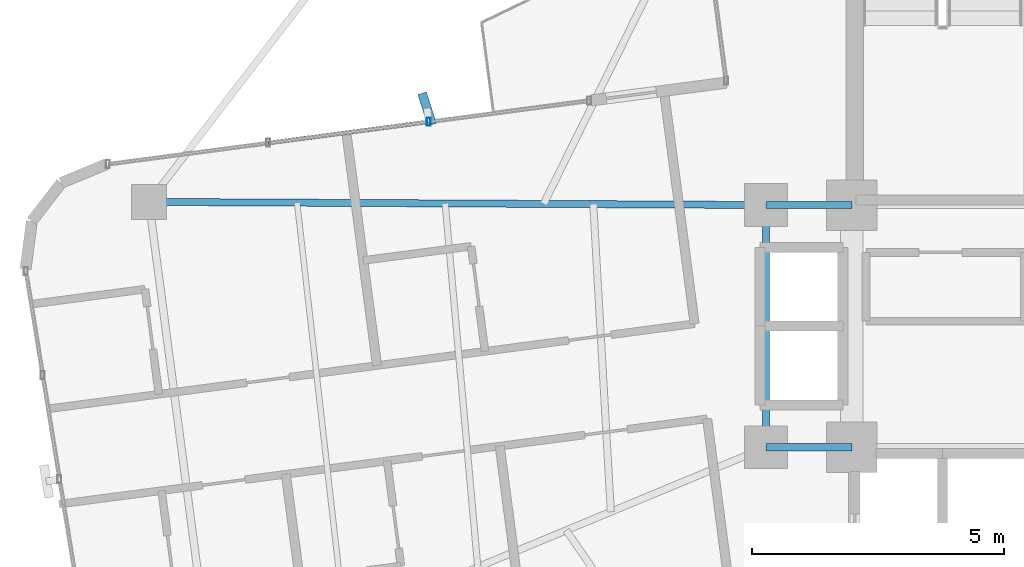
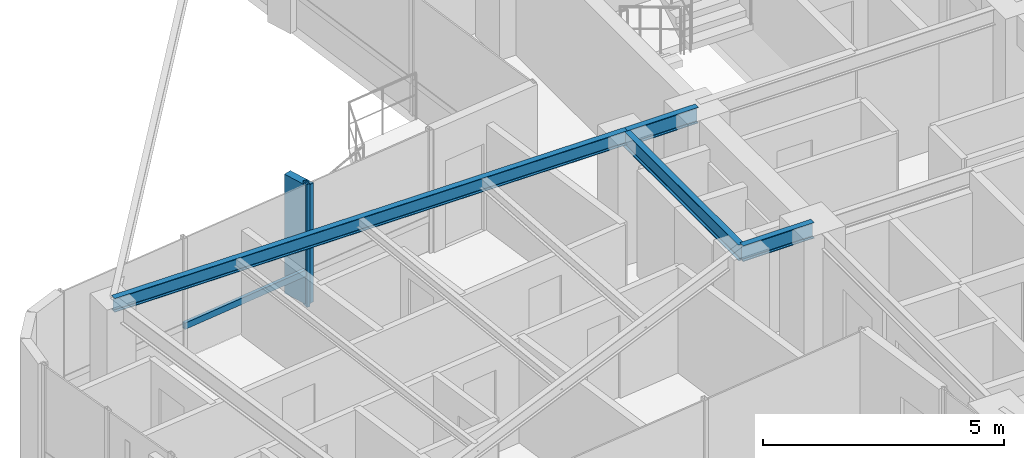
# One storey, part 8 of 23: 4 beams, 3 members, 1 element without a shape of its own.
"""IFC4 building model written with IfcOpenShell, lengths in metres."""

from ifc_helpers import new_model, si_unit, direction, frame, origin, origin_2d, place, context, subcontext, project, spatial, rectangle, hollow_rectangle, i_section, extrude, source, transform, mapped, material, material_profile, profile_set, type_object, element, aggregate, save


model = new_model("IFC4")

# Units and contexts
model_context = context("Model", 3, precision=1e-05, world=origin(), true_north=direction((0.0, 1.0)))
body_context = subcontext(model_context, "Body", "Model", "MODEL_VIEW")
ifc_project = project(units=[si_unit("LENGTHUNIT", "METRE"), si_unit("AREAUNIT", "SQUARE_METRE"), si_unit("VOLUMEUNIT", "CUBIC_METRE"), si_unit("PLANEANGLEUNIT", "RADIAN"), si_unit("MASSUNIT", "GRAM", prefix="KILO")], contexts=[model_context])

# Site, building, storey
site_placement = place(None, origin())
site = spatial("IfcSite", under=ifc_project, at=site_placement, CompositionType="ELEMENT")
building_placement = place(site_placement, origin())
building = spatial("IfcBuilding", under=site, at=building_placement, Name="Sahyath Konkavel Grand Hotel", CompositionType="ELEMENT")
storey_placement = place(building_placement, frame((0.0, 0.0, 254.550048828125)))
storey = spatial("IfcBuildingStorey", under=building, at=storey_placement, Name="L71", CompositionType="ELEMENT", Elevation=254.550048828125)

# Beams
ifc_material_1 = material(Name="Steel E350", Category="steel")
ifc_material_profile_1 = material_profile(ifc_material_1, i_section(OverallWidth=0.139892578125, OverallDepth=0.39990234375, WebThickness=0.0087890625, FlangeThickness=0.01611328125, FilletRadius=0.013916015625, at=origin_2d()), Name="ISMB 400")
ifc_profile_set_1 = profile_set([ifc_material_profile_1], Name="Steel E350")
beam_type_1 = type_object("IfcBeamType", Name="BM-ISMB400", PredefinedType="BEAM", material=ifc_profile_set_1)
shared_shape_1 = source(origin(), body_context, "Body", "SweptSolid", [
    extrude(i_section(OverallWidth=0.139892578125, OverallDepth=0.39990234375, WebThickness=0.0087890625, FlangeThickness=0.01611328125, FilletRadius=0.013916015625, at=origin_2d()), origin(), (0.0, 0.0, 1.0), 1.699951171875),
])
for number, where, z_axis, x_axis, name in (
    (1, (-5.5, 2.39990234375, 2.909912109375), (1.0, 0.0, 0.0), (0.0, 1.0, 0.0), "str:bm:L71:HB-NW"),
    (2, (-5.5, -2.39990234375, 2.909912109375), (1.0, 0.0, 0.0), (0.0, 1.0, 0.0), "str:bm:L71:HB-SW"),
):
    element("IfcBeam", number, at=place(storey_placement, frame(where, z_axis=z_axis, x_axis=x_axis)), inside=storey, type_object=beam_type_1, Name=name, PredefinedType="BEAM", context=body_context, shape_type="MappedRepresentation", body=[
        mapped(shared_shape_1, transform((0.0, 0.0, 0.0), scale=1.0)),
    ])
shared_shape_2 = source(origin(), body_context, "Body", "SweptSolid", [
    extrude(i_section(OverallWidth=0.139892578125, OverallDepth=0.39990234375, WebThickness=0.0087890625, FlangeThickness=0.01611328125, FilletRadius=0.013916015625, at=origin_2d()), origin(), (0.0, 0.0, 1.0), 4.7998046875),
])
beam_1_placement = place(storey_placement, frame((-5.5, -2.39990234375, 2.909912109375), z_axis=(0.0, 1.0, 0.0), x_axis=(-1.0, 0.0, 0.0)))
element("IfcBeam", 3, at=beam_1_placement, inside=storey, type_object=beam_type_1, Name="str:bm:L71:HB-W", PredefinedType="BEAM", context=body_context, shape_type="MappedRepresentation", body=[
    mapped(shared_shape_2, transform((0.0, 0.0, 0.0), scale=1.0)),
])
ifc_material_profile_2 = material_profile(ifc_material_1, i_section(OverallWidth=0.139892578125, OverallDepth=0.35009765625, WebThickness=0.008056640625, FlangeThickness=0.01416015625, FilletRadius=0.013916015625, at=origin_2d()), Name="ISMB 350")
ifc_profile_set_2 = profile_set([ifc_material_profile_2], Name="Steel E350")
beam_type_2 = type_object("IfcBeamType", Name="BM-ISMB350", PredefinedType="BEAM", material=ifc_profile_set_2)
shared_shape_3 = source(origin(), body_context, "Body", "SweptSolid", [
    extrude(i_section(OverallWidth=0.139892578125, OverallDepth=0.35009765625, WebThickness=0.008056640625, FlangeThickness=0.01416015625, FilletRadius=0.013916015625, at=origin_2d()), origin(), (0.0, 0.0, 1.0), 12.22607421875),
])
beam_2_placement = place(storey_placement, frame((-5.5, 2.39990234375, 2.93505859375), z_axis=(-0.999987338469, 0.005032186618, 0.0), x_axis=(-0.005032186618, -0.999987338469, 0.0)))
element("IfcBeam", 4, at=beam_2_placement, inside=storey, type_object=beam_type_2, Name="L71 Cruciform Radial Girder WA", PredefinedType="BEAM", context=body_context, shape_type="MappedRepresentation", body=[
    mapped(shared_shape_3, transform((0.0, 0.0, 0.0), scale=1.0)),
])

# Curtain wall, members
ifc_material_2 = material(Name="Anodised Bronze Aluminium & Low-E Glazing", Category="aluminium")
curtain_wall_type = type_object("IfcCurtainWallType", Name="CW-ZONE4", PredefinedType="NOTDEFINED", material=ifc_material_2)
curtain_wall_placement = place(storey_placement, origin())
curtain_wall = element("IfcCurtainWall", 5, at=curtain_wall_placement, inside=storey, type_object=curtain_wall_type, Name="L71 Unitised Curtain Wall F16", PredefinedType="NOTDEFINED")
ifc_material_3 = material(Name="Anodised Bronze Aluminium", Category="aluminium")
ifc_material_profile_3 = material_profile(ifc_material_3, hollow_rectangle(XDim=0.080078125, YDim=0.159912109375, WallThickness=0.006103515625, at=origin_2d()), Name="RHS 160x80x6")
ifc_profile_set_3 = profile_set([ifc_material_profile_3], Name="Anodised Bronze Aluminium")
member_type_1 = type_object("IfcMemberType", Name="CW-MUL-160", PredefinedType="MULLION", material=ifc_profile_set_3)
shared_shape_4 = source(origin(), body_context, "Body", "SweptSolid", [
    extrude(hollow_rectangle(XDim=0.080078125, YDim=0.159912109375, WallThickness=0.006103515625, at=origin_2d()), origin(), (0.0, 0.0, 1.0), 3.10986328125),
])
member_1_placement = place(storey_placement, frame((-12.18310546875, 4.048583984375, 0.0), z_axis=(0.0, 0.0, 1.0), x_axis=(1.0, 0.0, 0.0)))
member_1 = element("IfcMember", 6, at=member_1_placement, type_object=member_type_1, Name="L71 Curtain Wall Mullion F16-1", PredefinedType="MULLION", context=body_context, shape_type="MappedRepresentation", body=[
    mapped(shared_shape_4, transform((0.0, 0.0, 0.0), scale=1.0)),
])
ifc_material_4 = material(Name="Warm Buff Sandstone Cladding on Concrete C50/60", Category="masonry")
ifc_material_profile_4 = material_profile(ifc_material_4, rectangle(XDim=0.179931640625, YDim=0.64990234375, at=origin_2d()), Name="FIN 180x650")
ifc_profile_set_4 = profile_set([ifc_material_profile_4], Name="Warm Buff Sandstone Cladding on Concrete C50/60")
member_type_2 = type_object("IfcMemberType", Name="FIN-SANDSTONE-650", PredefinedType="MULLION", material=ifc_profile_set_4)
shared_shape_5 = source(origin(), body_context, "Body", "SweptSolid", [
    extrude(rectangle(XDim=0.179931640625, YDim=0.64990234375, at=origin_2d()), origin(), (0.0, 0.0, 1.0), 3.010009765625),
])
member_2_placement = place(storey_placement, frame((-12.216796875, 4.306396484375, 0.050048828125), z_axis=(0.0, 0.0, 1.0), x_axis=(0.954083620326, 0.299540390309, 0.0)))
member_2 = element("IfcMember", 7, at=member_2_placement, type_object=member_type_2, Name="L71 Sandstone Vertical Solar Fin FIN F16-1", PredefinedType="MULLION", context=body_context, shape_type="MappedRepresentation", body=[
    mapped(shared_shape_5, transform((0.0, 0.0, 0.0), scale=1.0)),
])
ifc_material_profile_5 = material_profile(ifc_material_3, hollow_rectangle(XDim=0.080078125, YDim=0.159912109375, WallThickness=0.006103515625, at=origin_2d()), Name="RHS 160x80x6")
ifc_profile_set_5 = profile_set([ifc_material_profile_5], Name="Anodised Bronze Aluminium")
member_type_3 = type_object("IfcMemberType", Name="CW-TRN-160", PredefinedType="USERDEFINED", material=ifc_profile_set_5)
shared_shape_6 = source(origin(), body_context, "Body", "SweptSolid", [
    extrude(hollow_rectangle(XDim=0.080078125, YDim=0.159912109375, WallThickness=0.006103515625, at=origin_2d()), origin(), (0.0, 0.0, 1.0), 3.2060546875),
])
member_3_placement = place(storey_placement, frame((-12.18310546875, 4.048583984375, 0.849853515625), z_axis=(-0.991436143334, -0.130592395224, 0.0), x_axis=(0.130592395224, -0.991436143334, 0.0)))
member_3 = element("IfcMember", 8, at=member_3_placement, type_object=member_type_3, Name="L71 Curtain Wall Transom F16-1-spandrel", ObjectType="TRANSOM", PredefinedType="USERDEFINED", context=body_context, shape_type="MappedRepresentation", body=[
    mapped(shared_shape_6, transform((0.0, 0.0, 0.0), scale=1.0)),
])
aggregate(curtain_wall, [member_1, member_2, member_3])

save(model, "model.ifc")
